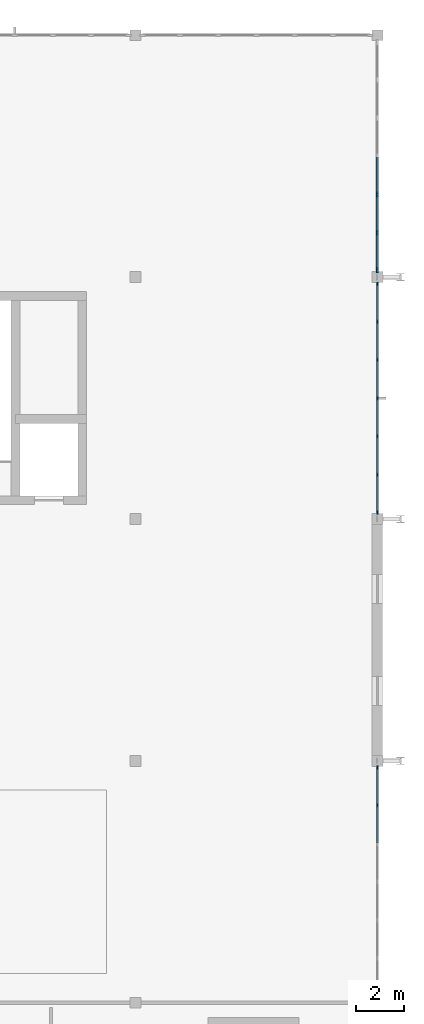
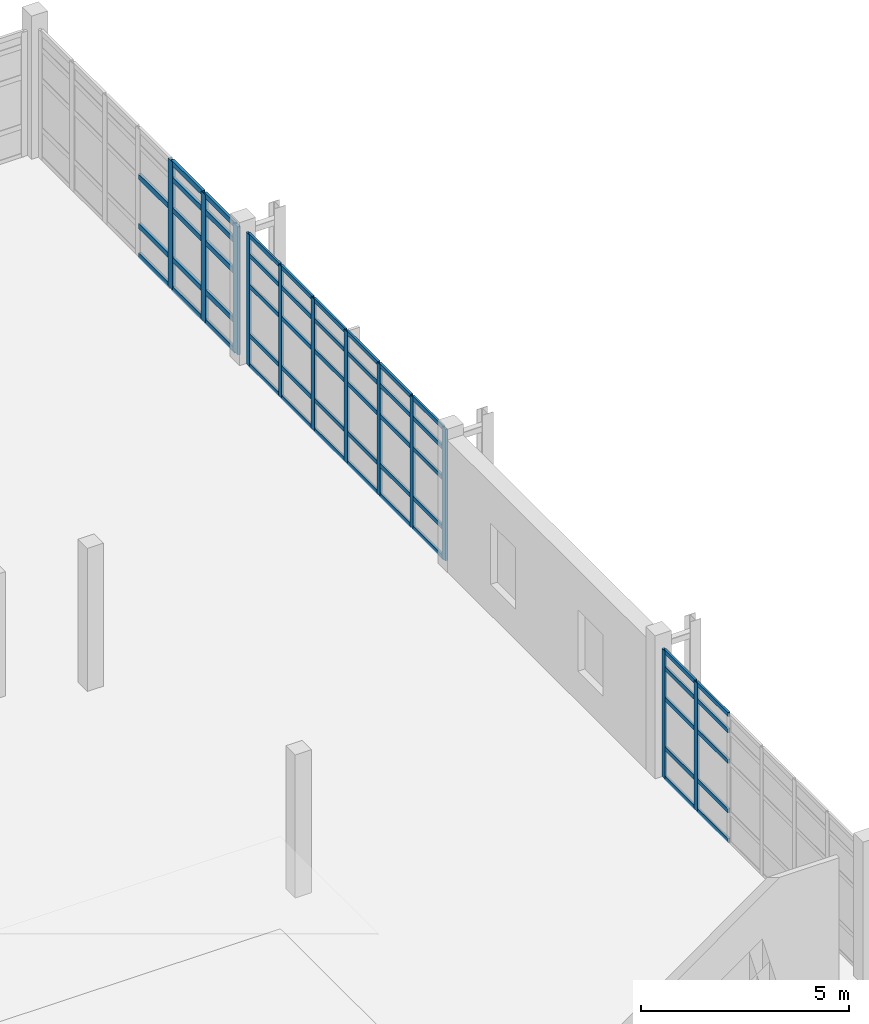
# One storey, part 65 of 122: 65 members, 3 elements without a shape of their own.
"""IFC4 building model written with IfcOpenShell, lengths in metres."""

from ifc_helpers import new_model, si_unit, direction, frame, origin, origin_2d, place, context, subcontext, project, spatial, rectangle, extrude, material, layer, layer_set, material_profile, profile_set, type_object, element, aggregate, save


model = new_model("IFC4")

# Units and contexts
model_context = context("Model", 3, precision=1e-05, world=origin(), true_north=direction((0.0, 1.0)))
body_context = subcontext(model_context, "Body", "Model", "MODEL_VIEW")
ifc_project = project(units=[si_unit("LENGTHUNIT", "METRE"), si_unit("AREAUNIT", "SQUARE_METRE"), si_unit("VOLUMEUNIT", "CUBIC_METRE"), si_unit("PLANEANGLEUNIT", "RADIAN"), si_unit("MASSUNIT", "GRAM", prefix="KILO"), si_unit("THERMODYNAMICTEMPERATUREUNIT", "KELVIN"), si_unit("POWERUNIT", "WATT")], contexts=[model_context])

# Site, building, storey
site_placement = place(None, origin())
site = spatial("IfcSite", under=ifc_project, at=site_placement, CompositionType="ELEMENT")
building_placement = place(site_placement, origin())
building = spatial("IfcBuilding", under=site, at=building_placement, Name="Korenveer Ferry Terminal", CompositionType="ELEMENT")
storey_placement = place(building_placement, frame((0.0, 0.0, 10.199951171875)))
storey = spatial("IfcBuildingStorey", under=building, at=storey_placement, Name="L02", CompositionType="ELEMENT", Elevation=10.199951171875)

# Curtain wall, members
ifc_material_1 = material(Name="Unitised bronze-and-glass curtain wall", Category="glass")
ifc_layer_1 = layer(ifc_material_1, 0.159912109375)
ifc_layer_set_1 = layer_set([ifc_layer_1], Name="Unitised bronze-and-glass curtain wall")
curtain_wall_type_1 = type_object("IfcCurtainWallType", Name="ENV-CW-87", PredefinedType="USERDEFINED", material=ifc_layer_set_1)
curtain_wall_1_placement = place(storey_placement, frame((176.0, 49.7451171875, 0.0)))
curtain_wall_1 = element("IfcCurtainWall", 1, at=curtain_wall_1_placement, inside=storey, type_object=curtain_wall_type_1, Name="Lancet curtain wall CWX-L02-X176-176-Y40-50", ObjectType="UNITISED CURTAIN WALL", PredefinedType="USERDEFINED")
ifc_material_2 = material(Name="Anodised bronze aluminium", Category="aluminium")
ifc_material_profile_1 = material_profile(ifc_material_2, rectangle(XDim=0.06005859375, YDim=0.159912109375, at=origin_2d()), Name="ALU 60x160")
ifc_profile_set_1 = profile_set([ifc_material_profile_1], Name="Anodised bronze aluminium")
member_type_1 = type_object("IfcMemberType", Name="ENV-CWM-60X160", PredefinedType="MULLION", material=ifc_profile_set_1)
member_1_placement = place(storey_placement, frame((176.0, 49.715087890625, 0.0), z_axis=(0.0, 0.0, 1.0), x_axis=(1.0, 0.0, 0.0)))
member_1 = element("IfcMember", 2, at=member_1_placement, type_object=member_type_1, Name="CW-87 mullion 1", PredefinedType="MULLION", context=body_context, shape_type="SweptSolid", body=[
    extrude(rectangle(XDim=0.06005859375, YDim=0.159912109375, at=origin_2d()), origin(), (0.0, 0.0, 1.0), 3.760009765625),
])
member_2_placement = place(storey_placement, frame((176.0, 48.163330078125, 0.0), z_axis=(0.0, 0.0, 1.0), x_axis=(1.0, 0.0, 0.0)))
member_2 = element("IfcMember", 3, at=member_2_placement, type_object=member_type_1, Name="CW-87 mullion 2", PredefinedType="MULLION", context=body_context, shape_type="SweptSolid", body=[
    extrude(rectangle(XDim=0.06005859375, YDim=0.159912109375, at=origin_2d()), origin(), (0.0, 0.0, 1.0), 3.760009765625),
])

ifc_layer_2 = layer(ifc_material_1, 0.159912109375)
ifc_layer_set_2 = layer_set([ifc_layer_2], Name="Unitised bronze-and-glass curtain wall")
curtain_wall_type_2 = type_object("IfcCurtainWallType", Name="ENV-CW-86", PredefinedType="USERDEFINED", material=ifc_layer_set_2)
curtain_wall_2_placement = place(storey_placement, frame((176.0, 69.7451171875, 0.0)))
curtain_wall_2 = element("IfcCurtainWall", 4, at=curtain_wall_2_placement, inside=storey, type_object=curtain_wall_type_2, Name="Lancet curtain wall CWX-L02-X176-176-Y60-70", ObjectType="UNITISED CURTAIN WALL", PredefinedType="USERDEFINED")
member_3_placement = place(storey_placement, frame((176.0, 69.715087890625, 0.0), z_axis=(0.0, 0.0, 1.0), x_axis=(1.0, 0.0, 0.0)))
member_3 = element("IfcMember", 5, at=member_3_placement, type_object=member_type_1, Name="CW-86 mullion 1", PredefinedType="MULLION", context=body_context, shape_type="SweptSolid", body=[
    extrude(rectangle(XDim=0.06005859375, YDim=0.159912109375, at=origin_2d()), origin(), (0.0, 0.0, 1.0), 3.860107421875),
])
member_4_placement = place(storey_placement, frame((176.0, 68.163330078125, 0.0), z_axis=(0.0, 0.0, 1.0), x_axis=(1.0, 0.0, 0.0)))
member_4 = element("IfcMember", 6, at=member_4_placement, type_object=member_type_1, Name="CW-86 mullion 2", PredefinedType="MULLION", context=body_context, shape_type="SweptSolid", body=[
    extrude(rectangle(XDim=0.06005859375, YDim=0.159912109375, at=origin_2d()), origin(), (0.0, 0.0, 1.0), 3.860107421875),
])
member_5_placement = place(storey_placement, frame((176.0, 66.581787109375, 0.0), z_axis=(0.0, 0.0, 1.0), x_axis=(1.0, 0.0, 0.0)))
member_5 = element("IfcMember", 7, at=member_5_placement, type_object=member_type_1, Name="CW-86 mullion 3", PredefinedType="MULLION", context=body_context, shape_type="SweptSolid", body=[
    extrude(rectangle(XDim=0.06005859375, YDim=0.159912109375, at=origin_2d()), origin(), (0.0, 0.0, 1.0), 3.860107421875),
])
member_6_placement = place(storey_placement, frame((176.0, 65.0, 0.0), z_axis=(0.0, 0.0, 1.0), x_axis=(1.0, 0.0, 0.0)))
member_6 = element("IfcMember", 8, at=member_6_placement, type_object=member_type_1, Name="CW-86 mullion 4", PredefinedType="MULLION", context=body_context, shape_type="SweptSolid", body=[
    extrude(rectangle(XDim=0.06005859375, YDim=0.159912109375, at=origin_2d()), origin(), (0.0, 0.0, 1.0), 3.860107421875),
])
member_7_placement = place(storey_placement, frame((176.0, 63.418212890625, 0.0), z_axis=(0.0, 0.0, 1.0), x_axis=(1.0, 0.0, 0.0)))
member_7 = element("IfcMember", 9, at=member_7_placement, type_object=member_type_1, Name="CW-86 mullion 5", PredefinedType="MULLION", context=body_context, shape_type="SweptSolid", body=[
    extrude(rectangle(XDim=0.06005859375, YDim=0.159912109375, at=origin_2d()), origin(), (0.0, 0.0, 1.0), 3.860107421875),
])
member_8_placement = place(storey_placement, frame((176.0, 61.836669921875, 0.0), z_axis=(0.0, 0.0, 1.0), x_axis=(1.0, 0.0, 0.0)))
member_8 = element("IfcMember", 10, at=member_8_placement, type_object=member_type_1, Name="CW-86 mullion 6", PredefinedType="MULLION", context=body_context, shape_type="SweptSolid", body=[
    extrude(rectangle(XDim=0.06005859375, YDim=0.159912109375, at=origin_2d()), origin(), (0.0, 0.0, 1.0), 3.860107421875),
])
member_9_placement = place(storey_placement, frame((176.0, 60.284912109375, 0.0), z_axis=(0.0, 0.0, 1.0), x_axis=(1.0, 0.0, 0.0)))
member_9 = element("IfcMember", 11, at=member_9_placement, type_object=member_type_1, Name="CW-86 mullion 7", PredefinedType="MULLION", context=body_context, shape_type="SweptSolid", body=[
    extrude(rectangle(XDim=0.06005859375, YDim=0.159912109375, at=origin_2d()), origin(), (0.0, 0.0, 1.0), 3.860107421875),
])

ifc_layer_3 = layer(ifc_material_1, 0.219970703125)
ifc_layer_set_3 = layer_set([ifc_layer_3], Name="Unitised bronze-and-glass curtain wall")
curtain_wall_type_3 = type_object("IfcCurtainWallType", Name="ENV-CW-100", PredefinedType="USERDEFINED", material=ifc_layer_set_3)
curtain_wall_3_placement = place(storey_placement, frame((176.0, 79.7451171875, 0.0)))
curtain_wall_3 = element("IfcCurtainWall", 12, at=curtain_wall_3_placement, inside=storey, type_object=curtain_wall_type_3, Name="Lancet curtain wall CWX-L02-X176-176-Y70-80", ObjectType="UNITISED CURTAIN WALL", PredefinedType="USERDEFINED")
ifc_material_profile_2 = material_profile(ifc_material_2, rectangle(XDim=0.074951171875, YDim=0.219970703125, at=origin_2d()), Name="ALU 75x220")
ifc_profile_set_2 = profile_set([ifc_material_profile_2], Name="Anodised bronze aluminium")
member_type_2 = type_object("IfcMemberType", Name="ENV-CWM-75X220", PredefinedType="MULLION", material=ifc_profile_set_2)
member_10_placement = place(storey_placement, frame((176.0, 73.418212890625, 0.0), z_axis=(0.0, 0.0, 1.0), x_axis=(1.0, 0.0, 0.0)))
member_10 = element("IfcMember", 13, at=member_10_placement, type_object=member_type_2, Name="CW-100 mullion 5", PredefinedType="MULLION", context=body_context, shape_type="SweptSolid", body=[
    extrude(rectangle(XDim=0.074951171875, YDim=0.219970703125, at=origin_2d()), origin(), (0.0, 0.0, 1.0), 3.760009765625),
])
member_11_placement = place(storey_placement, frame((176.0, 71.836669921875, 0.0), z_axis=(0.0, 0.0, 1.0), x_axis=(1.0, 0.0, 0.0)))
member_11 = element("IfcMember", 14, at=member_11_placement, type_object=member_type_2, Name="CW-100 mullion 6", PredefinedType="MULLION", context=body_context, shape_type="SweptSolid", body=[
    extrude(rectangle(XDim=0.074951171875, YDim=0.219970703125, at=origin_2d()), origin(), (0.0, 0.0, 1.0), 3.760009765625),
])
member_12_placement = place(storey_placement, frame((176.0, 70.29248046875, 0.0), z_axis=(0.0, 0.0, 1.0), x_axis=(1.0, 0.0, 0.0)))
member_12 = element("IfcMember", 15, at=member_12_placement, type_object=member_type_2, Name="CW-100 mullion 7", PredefinedType="MULLION", context=body_context, shape_type="SweptSolid", body=[
    extrude(rectangle(XDim=0.074951171875, YDim=0.219970703125, at=origin_2d()), origin(), (0.0, 0.0, 1.0), 3.760009765625),
])

# Member
ifc_material_profile_3 = material_profile(ifc_material_2, rectangle(XDim=0.06005859375, YDim=0.1201171875, at=origin_2d()), Name="ALU 60x120")
ifc_profile_set_3 = profile_set([ifc_material_profile_3], Name="Anodised bronze aluminium")
member_type_3 = type_object("IfcMemberType", Name="ENV-CWT-60X120", PredefinedType="USERDEFINED", material=ifc_profile_set_3)
member_13_placement = place(storey_placement, frame((176.0, 49.68505859375, 0.030029296875), z_axis=(0.0, -1.0, 0.0), x_axis=(1.0, 0.0, 0.0)))
member_13 = element("IfcMember", 16, at=member_13_placement, type_object=member_type_3, Name="CW-87 transom 1.1", ObjectType="TRANSOM", PredefinedType="USERDEFINED", context=body_context, shape_type="SweptSolid", body=[
    extrude(rectangle(XDim=0.06005859375, YDim=0.1201171875, at=origin_2d()), origin(), (0.0, 0.0, 1.0), 1.49169921875),
])

member_14_placement = place(storey_placement, frame((176.0, 49.68505859375, 0.900146484375), z_axis=(0.0, -1.0, 0.0), x_axis=(1.0, 0.0, 0.0)))
member_14 = element("IfcMember", 17, at=member_14_placement, type_object=member_type_3, Name="CW-87 transom 1.2", ObjectType="TRANSOM", PredefinedType="USERDEFINED", context=body_context, shape_type="SweptSolid", body=[
    extrude(rectangle(XDim=0.06005859375, YDim=0.1201171875, at=origin_2d()), origin(), (0.0, 0.0, 1.0), 1.49169921875),
])

member_15_placement = place(storey_placement, frame((176.0, 49.68505859375, 2.35009765625), z_axis=(0.0, -1.0, 0.0), x_axis=(1.0, 0.0, 0.0)))
member_15 = element("IfcMember", 18, at=member_15_placement, type_object=member_type_3, Name="CW-87 transom 1.3", ObjectType="TRANSOM", PredefinedType="USERDEFINED", context=body_context, shape_type="SweptSolid", body=[
    extrude(rectangle(XDim=0.06005859375, YDim=0.1201171875, at=origin_2d()), origin(), (0.0, 0.0, 1.0), 1.49169921875),
])

member_16_placement = place(storey_placement, frame((176.0, 49.68505859375, 3.25), z_axis=(0.0, -1.0, 0.0), x_axis=(1.0, 0.0, 0.0)))
member_16 = element("IfcMember", 19, at=member_16_placement, type_object=member_type_3, Name="CW-87 transom 1.4", ObjectType="TRANSOM", PredefinedType="USERDEFINED", context=body_context, shape_type="SweptSolid", body=[
    extrude(rectangle(XDim=0.06005859375, YDim=0.1201171875, at=origin_2d()), origin(), (0.0, 0.0, 1.0), 1.49169921875),
])

member_17_placement = place(storey_placement, frame((176.0, 49.68505859375, 3.72998046875), z_axis=(0.0, -1.0, 0.0), x_axis=(1.0, 0.0, 0.0)))
member_17 = element("IfcMember", 20, at=member_17_placement, type_object=member_type_3, Name="CW-87 transom 1.5", ObjectType="TRANSOM", PredefinedType="USERDEFINED", context=body_context, shape_type="SweptSolid", body=[
    extrude(rectangle(XDim=0.06005859375, YDim=0.1201171875, at=origin_2d()), origin(), (0.0, 0.0, 1.0), 1.49169921875),
])

member_18_placement = place(storey_placement, frame((176.0, 48.13330078125, 0.030029296875), z_axis=(0.0, -1.0, 0.0), x_axis=(1.0, 0.0, 0.0)))
member_18 = element("IfcMember", 21, at=member_18_placement, type_object=member_type_3, Name="CW-87 transom 2.1", ObjectType="TRANSOM", PredefinedType="USERDEFINED", context=body_context, shape_type="SweptSolid", body=[
    extrude(rectangle(XDim=0.06005859375, YDim=0.1201171875, at=origin_2d()), origin(), (0.0, 0.0, 1.0), 1.521728515625),
])

member_19_placement = place(storey_placement, frame((176.0, 48.13330078125, 0.900146484375), z_axis=(0.0, -1.0, 0.0), x_axis=(1.0, 0.0, 0.0)))
member_19 = element("IfcMember", 22, at=member_19_placement, type_object=member_type_3, Name="CW-87 transom 2.2", ObjectType="TRANSOM", PredefinedType="USERDEFINED", context=body_context, shape_type="SweptSolid", body=[
    extrude(rectangle(XDim=0.06005859375, YDim=0.1201171875, at=origin_2d()), origin(), (0.0, 0.0, 1.0), 1.521728515625),
])

member_20_placement = place(storey_placement, frame((176.0, 48.13330078125, 2.35009765625), z_axis=(0.0, -1.0, 0.0), x_axis=(1.0, 0.0, 0.0)))
member_20 = element("IfcMember", 23, at=member_20_placement, type_object=member_type_3, Name="CW-87 transom 2.3", ObjectType="TRANSOM", PredefinedType="USERDEFINED", context=body_context, shape_type="SweptSolid", body=[
    extrude(rectangle(XDim=0.06005859375, YDim=0.1201171875, at=origin_2d()), origin(), (0.0, 0.0, 1.0), 1.521728515625),
])

member_21_placement = place(storey_placement, frame((176.0, 48.13330078125, 3.25), z_axis=(0.0, -1.0, 0.0), x_axis=(1.0, 0.0, 0.0)))
member_21 = element("IfcMember", 24, at=member_21_placement, type_object=member_type_3, Name="CW-87 transom 2.4", ObjectType="TRANSOM", PredefinedType="USERDEFINED", context=body_context, shape_type="SweptSolid", body=[
    extrude(rectangle(XDim=0.06005859375, YDim=0.1201171875, at=origin_2d()), origin(), (0.0, 0.0, 1.0), 1.521728515625),
])

member_22_placement = place(storey_placement, frame((176.0, 48.13330078125, 3.72998046875), z_axis=(0.0, -1.0, 0.0), x_axis=(1.0, 0.0, 0.0)))
member_22 = element("IfcMember", 25, at=member_22_placement, type_object=member_type_3, Name="CW-87 transom 2.5", ObjectType="TRANSOM", PredefinedType="USERDEFINED", context=body_context, shape_type="SweptSolid", body=[
    extrude(rectangle(XDim=0.06005859375, YDim=0.1201171875, at=origin_2d()), origin(), (0.0, 0.0, 1.0), 1.521728515625),
])

aggregate(curtain_wall_1, [member_1, member_2, member_13, member_14, member_15, member_16, member_17, member_18, member_19, member_20, member_21, member_22])

member_23_placement = place(storey_placement, frame((176.0, 69.68505859375, 0.030029296875), z_axis=(0.0, -1.0, 0.0), x_axis=(1.0, 0.0, 0.0)))
member_23 = element("IfcMember", 26, at=member_23_placement, type_object=member_type_3, Name="CW-86 transom 1.1", ObjectType="TRANSOM", PredefinedType="USERDEFINED", context=body_context, shape_type="SweptSolid", body=[
    extrude(rectangle(XDim=0.06005859375, YDim=0.1201171875, at=origin_2d()), origin(), (0.0, 0.0, 1.0), 1.49169921875),
])

member_24_placement = place(storey_placement, frame((176.0, 69.68505859375, 0.900146484375), z_axis=(0.0, -1.0, 0.0), x_axis=(1.0, 0.0, 0.0)))
member_24 = element("IfcMember", 27, at=member_24_placement, type_object=member_type_3, Name="CW-86 transom 1.2", ObjectType="TRANSOM", PredefinedType="USERDEFINED", context=body_context, shape_type="SweptSolid", body=[
    extrude(rectangle(XDim=0.06005859375, YDim=0.1201171875, at=origin_2d()), origin(), (0.0, 0.0, 1.0), 1.49169921875),
])

member_25_placement = place(storey_placement, frame((176.0, 69.68505859375, 2.35009765625), z_axis=(0.0, -1.0, 0.0), x_axis=(1.0, 0.0, 0.0)))
member_25 = element("IfcMember", 28, at=member_25_placement, type_object=member_type_3, Name="CW-86 transom 1.3", ObjectType="TRANSOM", PredefinedType="USERDEFINED", context=body_context, shape_type="SweptSolid", body=[
    extrude(rectangle(XDim=0.06005859375, YDim=0.1201171875, at=origin_2d()), origin(), (0.0, 0.0, 1.0), 1.49169921875),
])

member_26_placement = place(storey_placement, frame((176.0, 69.68505859375, 3.25), z_axis=(0.0, -1.0, 0.0), x_axis=(1.0, 0.0, 0.0)))
member_26 = element("IfcMember", 29, at=member_26_placement, type_object=member_type_3, Name="CW-86 transom 1.4", ObjectType="TRANSOM", PredefinedType="USERDEFINED", context=body_context, shape_type="SweptSolid", body=[
    extrude(rectangle(XDim=0.06005859375, YDim=0.1201171875, at=origin_2d()), origin(), (0.0, 0.0, 1.0), 1.49169921875),
])

member_27_placement = place(storey_placement, frame((176.0, 69.68505859375, 3.830078125), z_axis=(0.0, -1.0, 0.0), x_axis=(1.0, 0.0, 0.0)))
member_27 = element("IfcMember", 30, at=member_27_placement, type_object=member_type_3, Name="CW-86 transom 1.5", ObjectType="TRANSOM", PredefinedType="USERDEFINED", context=body_context, shape_type="SweptSolid", body=[
    extrude(rectangle(XDim=0.06005859375, YDim=0.1201171875, at=origin_2d()), origin(), (0.0, 0.0, 1.0), 1.49169921875),
])

member_28_placement = place(storey_placement, frame((176.0, 68.13330078125, 0.030029296875), z_axis=(0.0, -1.0, 0.0), x_axis=(1.0, 0.0, 0.0)))
member_28 = element("IfcMember", 31, at=member_28_placement, type_object=member_type_3, Name="CW-86 transom 2.1", ObjectType="TRANSOM", PredefinedType="USERDEFINED", context=body_context, shape_type="SweptSolid", body=[
    extrude(rectangle(XDim=0.06005859375, YDim=0.1201171875, at=origin_2d()), origin(), (0.0, 0.0, 1.0), 1.521728515625),
])

member_29_placement = place(storey_placement, frame((176.0, 68.13330078125, 0.900146484375), z_axis=(0.0, -1.0, 0.0), x_axis=(1.0, 0.0, 0.0)))
member_29 = element("IfcMember", 32, at=member_29_placement, type_object=member_type_3, Name="CW-86 transom 2.2", ObjectType="TRANSOM", PredefinedType="USERDEFINED", context=body_context, shape_type="SweptSolid", body=[
    extrude(rectangle(XDim=0.06005859375, YDim=0.1201171875, at=origin_2d()), origin(), (0.0, 0.0, 1.0), 1.521728515625),
])

member_30_placement = place(storey_placement, frame((176.0, 68.13330078125, 2.35009765625), z_axis=(0.0, -1.0, 0.0), x_axis=(1.0, 0.0, 0.0)))
member_30 = element("IfcMember", 33, at=member_30_placement, type_object=member_type_3, Name="CW-86 transom 2.3", ObjectType="TRANSOM", PredefinedType="USERDEFINED", context=body_context, shape_type="SweptSolid", body=[
    extrude(rectangle(XDim=0.06005859375, YDim=0.1201171875, at=origin_2d()), origin(), (0.0, 0.0, 1.0), 1.521728515625),
])

member_31_placement = place(storey_placement, frame((176.0, 68.13330078125, 3.25), z_axis=(0.0, -1.0, 0.0), x_axis=(1.0, 0.0, 0.0)))
member_31 = element("IfcMember", 34, at=member_31_placement, type_object=member_type_3, Name="CW-86 transom 2.4", ObjectType="TRANSOM", PredefinedType="USERDEFINED", context=body_context, shape_type="SweptSolid", body=[
    extrude(rectangle(XDim=0.06005859375, YDim=0.1201171875, at=origin_2d()), origin(), (0.0, 0.0, 1.0), 1.521728515625),
])

member_32_placement = place(storey_placement, frame((176.0, 68.13330078125, 3.830078125), z_axis=(0.0, -1.0, 0.0), x_axis=(1.0, 0.0, 0.0)))
member_32 = element("IfcMember", 35, at=member_32_placement, type_object=member_type_3, Name="CW-86 transom 2.5", ObjectType="TRANSOM", PredefinedType="USERDEFINED", context=body_context, shape_type="SweptSolid", body=[
    extrude(rectangle(XDim=0.06005859375, YDim=0.1201171875, at=origin_2d()), origin(), (0.0, 0.0, 1.0), 1.521728515625),
])

member_33_placement = place(storey_placement, frame((176.0, 66.5517578125, 0.030029296875), z_axis=(0.0, -1.0, 0.0), x_axis=(1.0, 0.0, 0.0)))
member_33 = element("IfcMember", 36, at=member_33_placement, type_object=member_type_3, Name="CW-86 transom 3.1", ObjectType="TRANSOM", PredefinedType="USERDEFINED", context=body_context, shape_type="SweptSolid", body=[
    extrude(rectangle(XDim=0.06005859375, YDim=0.1201171875, at=origin_2d()), origin(), (0.0, 0.0, 1.0), 1.521728515625),
])

member_34_placement = place(storey_placement, frame((176.0, 66.5517578125, 0.900146484375), z_axis=(0.0, -1.0, 0.0), x_axis=(1.0, 0.0, 0.0)))
member_34 = element("IfcMember", 37, at=member_34_placement, type_object=member_type_3, Name="CW-86 transom 3.2", ObjectType="TRANSOM", PredefinedType="USERDEFINED", context=body_context, shape_type="SweptSolid", body=[
    extrude(rectangle(XDim=0.06005859375, YDim=0.1201171875, at=origin_2d()), origin(), (0.0, 0.0, 1.0), 1.521728515625),
])

member_35_placement = place(storey_placement, frame((176.0, 66.5517578125, 2.35009765625), z_axis=(0.0, -1.0, 0.0), x_axis=(1.0, 0.0, 0.0)))
member_35 = element("IfcMember", 38, at=member_35_placement, type_object=member_type_3, Name="CW-86 transom 3.3", ObjectType="TRANSOM", PredefinedType="USERDEFINED", context=body_context, shape_type="SweptSolid", body=[
    extrude(rectangle(XDim=0.06005859375, YDim=0.1201171875, at=origin_2d()), origin(), (0.0, 0.0, 1.0), 1.521728515625),
])

member_36_placement = place(storey_placement, frame((176.0, 66.5517578125, 3.25), z_axis=(0.0, -1.0, 0.0), x_axis=(1.0, 0.0, 0.0)))
member_36 = element("IfcMember", 39, at=member_36_placement, type_object=member_type_3, Name="CW-86 transom 3.4", ObjectType="TRANSOM", PredefinedType="USERDEFINED", context=body_context, shape_type="SweptSolid", body=[
    extrude(rectangle(XDim=0.06005859375, YDim=0.1201171875, at=origin_2d()), origin(), (0.0, 0.0, 1.0), 1.521728515625),
])

member_37_placement = place(storey_placement, frame((176.0, 66.5517578125, 3.830078125), z_axis=(0.0, -1.0, 0.0), x_axis=(1.0, 0.0, 0.0)))
member_37 = element("IfcMember", 40, at=member_37_placement, type_object=member_type_3, Name="CW-86 transom 3.5", ObjectType="TRANSOM", PredefinedType="USERDEFINED", context=body_context, shape_type="SweptSolid", body=[
    extrude(rectangle(XDim=0.06005859375, YDim=0.1201171875, at=origin_2d()), origin(), (0.0, 0.0, 1.0), 1.521728515625),
])

member_38_placement = place(storey_placement, frame((176.0, 64.969970703125, 0.030029296875), z_axis=(0.0, -1.0, 0.0), x_axis=(1.0, 0.0, 0.0)))
member_38 = element("IfcMember", 41, at=member_38_placement, type_object=member_type_3, Name="CW-86 transom 4.1", ObjectType="TRANSOM", PredefinedType="USERDEFINED", context=body_context, shape_type="SweptSolid", body=[
    extrude(rectangle(XDim=0.06005859375, YDim=0.1201171875, at=origin_2d()), origin(), (0.0, 0.0, 1.0), 1.521728515625),
])

member_39_placement = place(storey_placement, frame((176.0, 64.969970703125, 0.900146484375), z_axis=(0.0, -1.0, 0.0), x_axis=(1.0, 0.0, 0.0)))
member_39 = element("IfcMember", 42, at=member_39_placement, type_object=member_type_3, Name="CW-86 transom 4.2", ObjectType="TRANSOM", PredefinedType="USERDEFINED", context=body_context, shape_type="SweptSolid", body=[
    extrude(rectangle(XDim=0.06005859375, YDim=0.1201171875, at=origin_2d()), origin(), (0.0, 0.0, 1.0), 1.521728515625),
])

member_40_placement = place(storey_placement, frame((176.0, 64.969970703125, 2.35009765625), z_axis=(0.0, -1.0, 0.0), x_axis=(1.0, 0.0, 0.0)))
member_40 = element("IfcMember", 43, at=member_40_placement, type_object=member_type_3, Name="CW-86 transom 4.3", ObjectType="TRANSOM", PredefinedType="USERDEFINED", context=body_context, shape_type="SweptSolid", body=[
    extrude(rectangle(XDim=0.06005859375, YDim=0.1201171875, at=origin_2d()), origin(), (0.0, 0.0, 1.0), 1.521728515625),
])

member_41_placement = place(storey_placement, frame((176.0, 64.969970703125, 3.25), z_axis=(0.0, -1.0, 0.0), x_axis=(1.0, 0.0, 0.0)))
member_41 = element("IfcMember", 44, at=member_41_placement, type_object=member_type_3, Name="CW-86 transom 4.4", ObjectType="TRANSOM", PredefinedType="USERDEFINED", context=body_context, shape_type="SweptSolid", body=[
    extrude(rectangle(XDim=0.06005859375, YDim=0.1201171875, at=origin_2d()), origin(), (0.0, 0.0, 1.0), 1.521728515625),
])

member_42_placement = place(storey_placement, frame((176.0, 64.969970703125, 3.830078125), z_axis=(0.0, -1.0, 0.0), x_axis=(1.0, 0.0, 0.0)))
member_42 = element("IfcMember", 45, at=member_42_placement, type_object=member_type_3, Name="CW-86 transom 4.5", ObjectType="TRANSOM", PredefinedType="USERDEFINED", context=body_context, shape_type="SweptSolid", body=[
    extrude(rectangle(XDim=0.06005859375, YDim=0.1201171875, at=origin_2d()), origin(), (0.0, 0.0, 1.0), 1.521728515625),
])

member_43_placement = place(storey_placement, frame((176.0, 63.388427734375, 0.030029296875), z_axis=(0.0, -1.0, 0.0), x_axis=(1.0, 0.0, 0.0)))
member_43 = element("IfcMember", 46, at=member_43_placement, type_object=member_type_3, Name="CW-86 transom 5.1", ObjectType="TRANSOM", PredefinedType="USERDEFINED", context=body_context, shape_type="SweptSolid", body=[
    extrude(rectangle(XDim=0.06005859375, YDim=0.1201171875, at=origin_2d()), origin(), (0.0, 0.0, 1.0), 1.521728515625),
])

member_44_placement = place(storey_placement, frame((176.0, 63.388427734375, 0.900146484375), z_axis=(0.0, -1.0, 0.0), x_axis=(1.0, 0.0, 0.0)))
member_44 = element("IfcMember", 47, at=member_44_placement, type_object=member_type_3, Name="CW-86 transom 5.2", ObjectType="TRANSOM", PredefinedType="USERDEFINED", context=body_context, shape_type="SweptSolid", body=[
    extrude(rectangle(XDim=0.06005859375, YDim=0.1201171875, at=origin_2d()), origin(), (0.0, 0.0, 1.0), 1.521728515625),
])

member_45_placement = place(storey_placement, frame((176.0, 63.388427734375, 2.35009765625), z_axis=(0.0, -1.0, 0.0), x_axis=(1.0, 0.0, 0.0)))
member_45 = element("IfcMember", 48, at=member_45_placement, type_object=member_type_3, Name="CW-86 transom 5.3", ObjectType="TRANSOM", PredefinedType="USERDEFINED", context=body_context, shape_type="SweptSolid", body=[
    extrude(rectangle(XDim=0.06005859375, YDim=0.1201171875, at=origin_2d()), origin(), (0.0, 0.0, 1.0), 1.521728515625),
])

member_46_placement = place(storey_placement, frame((176.0, 63.388427734375, 3.25), z_axis=(0.0, -1.0, 0.0), x_axis=(1.0, 0.0, 0.0)))
member_46 = element("IfcMember", 49, at=member_46_placement, type_object=member_type_3, Name="CW-86 transom 5.4", ObjectType="TRANSOM", PredefinedType="USERDEFINED", context=body_context, shape_type="SweptSolid", body=[
    extrude(rectangle(XDim=0.06005859375, YDim=0.1201171875, at=origin_2d()), origin(), (0.0, 0.0, 1.0), 1.521728515625),
])

member_47_placement = place(storey_placement, frame((176.0, 63.388427734375, 3.830078125), z_axis=(0.0, -1.0, 0.0), x_axis=(1.0, 0.0, 0.0)))
member_47 = element("IfcMember", 50, at=member_47_placement, type_object=member_type_3, Name="CW-86 transom 5.5", ObjectType="TRANSOM", PredefinedType="USERDEFINED", context=body_context, shape_type="SweptSolid", body=[
    extrude(rectangle(XDim=0.06005859375, YDim=0.1201171875, at=origin_2d()), origin(), (0.0, 0.0, 1.0), 1.521728515625),
])

member_48_placement = place(storey_placement, frame((176.0, 61.806640625, 0.030029296875), z_axis=(0.0, -1.0, 0.0), x_axis=(1.0, 0.0, 0.0)))
member_48 = element("IfcMember", 51, at=member_48_placement, type_object=member_type_3, Name="CW-86 transom 6.1", ObjectType="TRANSOM", PredefinedType="USERDEFINED", context=body_context, shape_type="SweptSolid", body=[
    extrude(rectangle(XDim=0.06005859375, YDim=0.1201171875, at=origin_2d()), origin(), (0.0, 0.0, 1.0), 1.49169921875),
])

member_49_placement = place(storey_placement, frame((176.0, 61.806640625, 0.900146484375), z_axis=(0.0, -1.0, 0.0), x_axis=(1.0, 0.0, 0.0)))
member_49 = element("IfcMember", 52, at=member_49_placement, type_object=member_type_3, Name="CW-86 transom 6.2", ObjectType="TRANSOM", PredefinedType="USERDEFINED", context=body_context, shape_type="SweptSolid", body=[
    extrude(rectangle(XDim=0.06005859375, YDim=0.1201171875, at=origin_2d()), origin(), (0.0, 0.0, 1.0), 1.49169921875),
])

member_50_placement = place(storey_placement, frame((176.0, 61.806640625, 2.35009765625), z_axis=(0.0, -1.0, 0.0), x_axis=(1.0, 0.0, 0.0)))
member_50 = element("IfcMember", 53, at=member_50_placement, type_object=member_type_3, Name="CW-86 transom 6.3", ObjectType="TRANSOM", PredefinedType="USERDEFINED", context=body_context, shape_type="SweptSolid", body=[
    extrude(rectangle(XDim=0.06005859375, YDim=0.1201171875, at=origin_2d()), origin(), (0.0, 0.0, 1.0), 1.49169921875),
])

member_51_placement = place(storey_placement, frame((176.0, 61.806640625, 3.25), z_axis=(0.0, -1.0, 0.0), x_axis=(1.0, 0.0, 0.0)))
member_51 = element("IfcMember", 54, at=member_51_placement, type_object=member_type_3, Name="CW-86 transom 6.4", ObjectType="TRANSOM", PredefinedType="USERDEFINED", context=body_context, shape_type="SweptSolid", body=[
    extrude(rectangle(XDim=0.06005859375, YDim=0.1201171875, at=origin_2d()), origin(), (0.0, 0.0, 1.0), 1.49169921875),
])

member_52_placement = place(storey_placement, frame((176.0, 61.806640625, 3.830078125), z_axis=(0.0, -1.0, 0.0), x_axis=(1.0, 0.0, 0.0)))
member_52 = element("IfcMember", 55, at=member_52_placement, type_object=member_type_3, Name="CW-86 transom 6.5", ObjectType="TRANSOM", PredefinedType="USERDEFINED", context=body_context, shape_type="SweptSolid", body=[
    extrude(rectangle(XDim=0.06005859375, YDim=0.1201171875, at=origin_2d()), origin(), (0.0, 0.0, 1.0), 1.49169921875),
])

aggregate(curtain_wall_2, [member_3, member_4, member_5, member_6, member_7, member_8, member_9, member_23, member_24, member_25, member_26, member_27, member_28, member_29, member_30, member_31, member_32, member_33, member_34, member_35, member_36, member_37, member_38, member_39, member_40, member_41, member_42, member_43, member_44, member_45, member_46, member_47, member_48, member_49, member_50, member_51, member_52])

ifc_material_profile_4 = material_profile(ifc_material_2, rectangle(XDim=0.074951171875, YDim=0.14990234375, at=origin_2d()), Name="ALU 75x150")
ifc_profile_set_4 = profile_set([ifc_material_profile_4], Name="Anodised bronze aluminium")
member_type_4 = type_object("IfcMemberType", Name="ENV-CWT-75X150", PredefinedType="USERDEFINED", material=ifc_profile_set_4)
member_53_placement = place(storey_placement, frame((176.0, 74.96240234375, 0.03759765625), z_axis=(0.0, -1.0, 0.0), x_axis=(1.0, 0.0, 0.0)))
member_53 = element("IfcMember", 56, at=member_53_placement, type_object=member_type_4, Name="CW-100 transom 4.1", ObjectType="TRANSOM", PredefinedType="USERDEFINED", context=body_context, shape_type="SweptSolid", body=[
    extrude(rectangle(XDim=0.074951171875, YDim=0.14990234375, at=origin_2d()), origin(), (0.0, 0.0, 1.0), 1.506591796875),
])

member_54_placement = place(storey_placement, frame((176.0, 74.96240234375, 0.900146484375), z_axis=(0.0, -1.0, 0.0), x_axis=(1.0, 0.0, 0.0)))
member_54 = element("IfcMember", 57, at=member_54_placement, type_object=member_type_4, Name="CW-100 transom 4.2", ObjectType="TRANSOM", PredefinedType="USERDEFINED", context=body_context, shape_type="SweptSolid", body=[
    extrude(rectangle(XDim=0.074951171875, YDim=0.14990234375, at=origin_2d()), origin(), (0.0, 0.0, 1.0), 1.506591796875),
])

member_55_placement = place(storey_placement, frame((176.0, 74.96240234375, 2.35009765625), z_axis=(0.0, -1.0, 0.0), x_axis=(1.0, 0.0, 0.0)))
member_55 = element("IfcMember", 58, at=member_55_placement, type_object=member_type_4, Name="CW-100 transom 4.3", ObjectType="TRANSOM", PredefinedType="USERDEFINED", context=body_context, shape_type="SweptSolid", body=[
    extrude(rectangle(XDim=0.074951171875, YDim=0.14990234375, at=origin_2d()), origin(), (0.0, 0.0, 1.0), 1.506591796875),
])

member_56_placement = place(storey_placement, frame((176.0, 73.380859375, 0.03759765625), z_axis=(0.0, -1.0, 0.0), x_axis=(1.0, 0.0, 0.0)))
member_56 = element("IfcMember", 59, at=member_56_placement, type_object=member_type_4, Name="CW-100 transom 5.1", ObjectType="TRANSOM", PredefinedType="USERDEFINED", context=body_context, shape_type="SweptSolid", body=[
    extrude(rectangle(XDim=0.074951171875, YDim=0.14990234375, at=origin_2d()), origin(), (0.0, 0.0, 1.0), 1.506591796875),
])

member_57_placement = place(storey_placement, frame((176.0, 73.380859375, 0.900146484375), z_axis=(0.0, -1.0, 0.0), x_axis=(1.0, 0.0, 0.0)))
member_57 = element("IfcMember", 60, at=member_57_placement, type_object=member_type_4, Name="CW-100 transom 5.2", ObjectType="TRANSOM", PredefinedType="USERDEFINED", context=body_context, shape_type="SweptSolid", body=[
    extrude(rectangle(XDim=0.074951171875, YDim=0.14990234375, at=origin_2d()), origin(), (0.0, 0.0, 1.0), 1.506591796875),
])

member_58_placement = place(storey_placement, frame((176.0, 73.380859375, 2.35009765625), z_axis=(0.0, -1.0, 0.0), x_axis=(1.0, 0.0, 0.0)))
member_58 = element("IfcMember", 61, at=member_58_placement, type_object=member_type_4, Name="CW-100 transom 5.3", ObjectType="TRANSOM", PredefinedType="USERDEFINED", context=body_context, shape_type="SweptSolid", body=[
    extrude(rectangle(XDim=0.074951171875, YDim=0.14990234375, at=origin_2d()), origin(), (0.0, 0.0, 1.0), 1.506591796875),
])

member_59_placement = place(storey_placement, frame((176.0, 73.380859375, 3.25), z_axis=(0.0, -1.0, 0.0), x_axis=(1.0, 0.0, 0.0)))
member_59 = element("IfcMember", 62, at=member_59_placement, type_object=member_type_4, Name="CW-100 transom 5.4", ObjectType="TRANSOM", PredefinedType="USERDEFINED", context=body_context, shape_type="SweptSolid", body=[
    extrude(rectangle(XDim=0.074951171875, YDim=0.14990234375, at=origin_2d()), origin(), (0.0, 0.0, 1.0), 1.506591796875),
])

member_60_placement = place(storey_placement, frame((176.0, 73.380859375, 3.72265625), z_axis=(0.0, -1.0, 0.0), x_axis=(1.0, 0.0, 0.0)))
member_60 = element("IfcMember", 63, at=member_60_placement, type_object=member_type_4, Name="CW-100 transom 5.5", ObjectType="TRANSOM", PredefinedType="USERDEFINED", context=body_context, shape_type="SweptSolid", body=[
    extrude(rectangle(XDim=0.074951171875, YDim=0.14990234375, at=origin_2d()), origin(), (0.0, 0.0, 1.0), 1.506591796875),
])

member_61_placement = place(storey_placement, frame((176.0, 71.799072265625, 0.03759765625), z_axis=(0.0, -1.0, 0.0), x_axis=(1.0, 0.0, 0.0)))
member_61 = element("IfcMember", 64, at=member_61_placement, type_object=member_type_4, Name="CW-100 transom 6.1", ObjectType="TRANSOM", PredefinedType="USERDEFINED", context=body_context, shape_type="SweptSolid", body=[
    extrude(rectangle(XDim=0.074951171875, YDim=0.14990234375, at=origin_2d()), origin(), (0.0, 0.0, 1.0), 1.468994140625),
])

member_62_placement = place(storey_placement, frame((176.0, 71.799072265625, 0.900146484375), z_axis=(0.0, -1.0, 0.0), x_axis=(1.0, 0.0, 0.0)))
member_62 = element("IfcMember", 65, at=member_62_placement, type_object=member_type_4, Name="CW-100 transom 6.2", ObjectType="TRANSOM", PredefinedType="USERDEFINED", context=body_context, shape_type="SweptSolid", body=[
    extrude(rectangle(XDim=0.074951171875, YDim=0.14990234375, at=origin_2d()), origin(), (0.0, 0.0, 1.0), 1.468994140625),
])

member_63_placement = place(storey_placement, frame((176.0, 71.799072265625, 2.35009765625), z_axis=(0.0, -1.0, 0.0), x_axis=(1.0, 0.0, 0.0)))
member_63 = element("IfcMember", 66, at=member_63_placement, type_object=member_type_4, Name="CW-100 transom 6.3", ObjectType="TRANSOM", PredefinedType="USERDEFINED", context=body_context, shape_type="SweptSolid", body=[
    extrude(rectangle(XDim=0.074951171875, YDim=0.14990234375, at=origin_2d()), origin(), (0.0, 0.0, 1.0), 1.468994140625),
])

member_64_placement = place(storey_placement, frame((176.0, 71.799072265625, 3.25), z_axis=(0.0, -1.0, 0.0), x_axis=(1.0, 0.0, 0.0)))
member_64 = element("IfcMember", 67, at=member_64_placement, type_object=member_type_4, Name="CW-100 transom 6.4", ObjectType="TRANSOM", PredefinedType="USERDEFINED", context=body_context, shape_type="SweptSolid", body=[
    extrude(rectangle(XDim=0.074951171875, YDim=0.14990234375, at=origin_2d()), origin(), (0.0, 0.0, 1.0), 1.468994140625),
])

member_65_placement = place(storey_placement, frame((176.0, 71.799072265625, 3.72265625), z_axis=(0.0, -1.0, 0.0), x_axis=(1.0, 0.0, 0.0)))
member_65 = element("IfcMember", 68, at=member_65_placement, type_object=member_type_4, Name="CW-100 transom 6.5", ObjectType="TRANSOM", PredefinedType="USERDEFINED", context=body_context, shape_type="SweptSolid", body=[
    extrude(rectangle(XDim=0.074951171875, YDim=0.14990234375, at=origin_2d()), origin(), (0.0, 0.0, 1.0), 1.468994140625),
])

aggregate(curtain_wall_3, [member_10, member_11, member_12, member_53, member_54, member_55, member_56, member_57, member_58, member_59, member_60, member_61, member_62, member_63, member_64, member_65])

save(model, "model.ifc")
